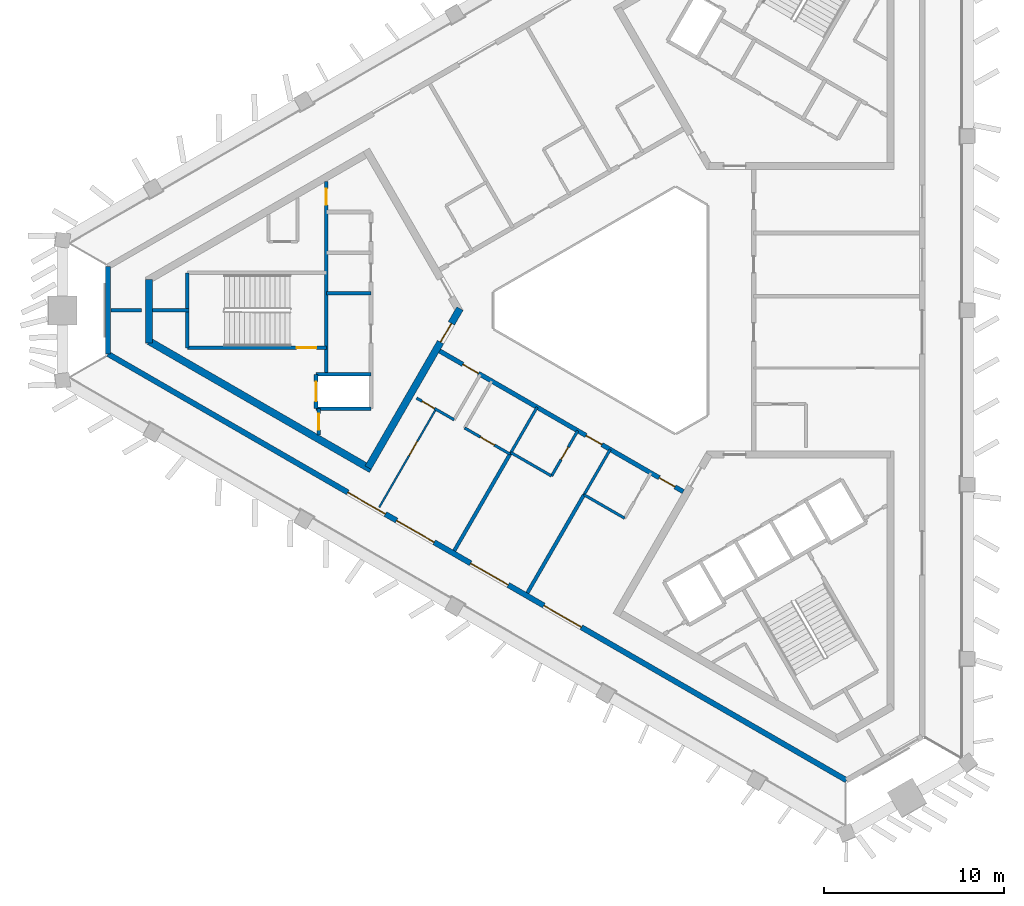
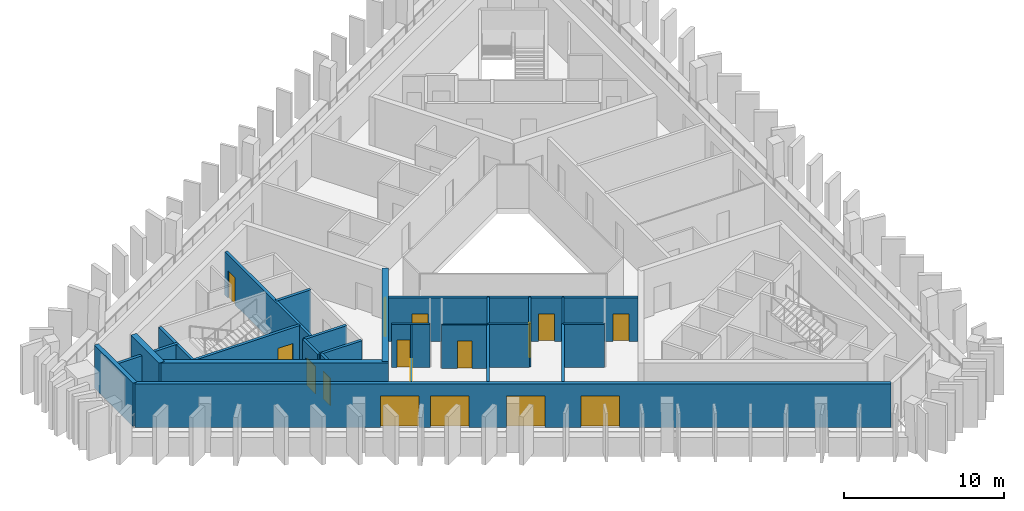
# One storey, part 2 of 9: 26 walls, 16 doors, 16 openings.
"""IFC4 building model written with IfcOpenShell, lengths in metres."""

from ifc_helpers import new_model, si_unit, direction, frame, frame_2d, origin, place, context, subcontext, project, spatial, rectangle, extrude, material, layer, layer_set, type_object, element, fill, save


model = new_model("IFC4")

# Units and contexts
model_context = context("Model", 3, precision=1e-05, world=origin(), true_north=direction((0.0, 1.0)))
body_context = subcontext(model_context, "Body", "Model", "MODEL_VIEW")
ifc_project = project(units=[si_unit("LENGTHUNIT", "METRE"), si_unit("AREAUNIT", "SQUARE_METRE"), si_unit("VOLUMEUNIT", "CUBIC_METRE"), si_unit("PLANEANGLEUNIT", "RADIAN"), si_unit("MASSUNIT", "GRAM", prefix="KILO")], contexts=[model_context])

# Site, building, storey
site_placement = place(None, origin())
site = spatial("IfcSite", under=ifc_project, at=site_placement, CompositionType="ELEMENT")
building_placement = place(site_placement, origin())
building = spatial("IfcBuilding", under=site, at=building_placement, Name="Jabali Bay Hotel Tower and Convention Centre", CompositionType="ELEMENT")
storey_placement = place(building_placement, frame((0.0, 0.0, 281.199951171875)))
storey = spatial("IfcBuildingStorey", under=building, at=storey_placement, Name="L69", CompositionType="ELEMENT", Elevation=281.199951171875)

# Wall
ifc_material_1 = material(Name="Concrete C40", Category="concrete")
ifc_layer_1 = layer(ifc_material_1, 0.199951171875)
ifc_layer_set_1 = layer_set([ifc_layer_1], Name="Concrete C40")
wall_type_1 = type_object("IfcWallType", Name="Core partition wall 200", PredefinedType="PARTITIONING", material=ifc_layer_set_1)
wall_1_placement = place(storey_placement, frame((50.820068359375, 80.0, 0.0), z_axis=(0.0, 0.0, 1.0), x_axis=(-1.0, 0.0, 0.0)))
element("IfcWall", 1, at=wall_1_placement, inside=storey, type_object=wall_type_1, Name="Core wall 0.5 L69", PredefinedType="PARTITIONING", context=body_context, shape_type="SweptSolid", body=[
    extrude(rectangle(XDim=2.023193359375, YDim=0.199951171875, at=frame_2d((1.01171875, 0.0))), origin(), (0.0, 0.0, 1.0), 3.300048828125),
])

# Wall, opening, door
wall_2_placement = place(storey_placement, frame((58.0, 74.550048828125, 0.0), z_axis=(0.0, 0.0, 1.0), x_axis=(0.0, -1.0, 0.0)))
wall_2 = element("IfcWall", 2, at=wall_2_placement, inside=storey, type_object=wall_type_1, Name="Core wall 0.11 L69", PredefinedType="PARTITIONING", context=body_context, shape_type="SweptSolid", body=[
    extrude(rectangle(XDim=1.455078125, YDim=0.199951171875, at=frame_2d((0.7275390625, 0.0))), origin(), (0.0, 0.0, 1.0), 3.300048828125),
])
opening_1_placement = place(wall_2_placement, frame((0.277587890625, 0.0, 0.0)))
opening_1 = element("IfcOpeningElement", 3, at=opening_1_placement, cuts=wall_2, Name="Opening D1519", PredefinedType="OPENING", context=body_context, shape_type="SweptSolid", body=[
    extrude(rectangle(XDim=0.89990234375, YDim=2.10009765625, at=frame_2d((0.449951171875, 1.050048828125))), frame((0.0, 0.1103515625, 0.0), z_axis=(0.0, -1.0, 0.0), x_axis=(1.0, 0.0, 0.0)), (0.0, 0.0, 1.0), 0.220947265625),
])
ifc_material_2 = material(Name="Fire-rated steel door", Category="steel")
door_type_1 = type_object("IfcDoorType", Name="Vestibule fire door 900 x 2100", OperationType="NOTDEFINED", PredefinedType="NOTDEFINED", material=ifc_material_2)
door_1_placement = place(opening_1_placement, origin())
door_1 = element("IfcDoor", 4, at=door_1_placement, inside=storey, type_object=door_type_1, Name="Vestibule fire door D1519", OperationType="SINGLE_SWING_LEFT", OverallHeight=2.10009765625, OverallWidth=0.89990234375, PredefinedType="NOTDEFINED", context=body_context, shape_type="SweptSolid", body=[
    extrude(rectangle(XDim=0.89990234375, YDim=2.10009765625, at=frame_2d((0.449951171875, 1.050048828125))), frame((0.0, 0.02490234375, 0.0), z_axis=(0.0, -1.0, 0.0), x_axis=(1.0, 0.0, 0.0)), (0.0, 0.0, 1.0), 0.050048828125),
])
fill(opening_1, door_1)

# Wall
ifc_layer_2 = layer(ifc_material_1, 0.199951171875)
ifc_layer_set_2 = layer_set([ifc_layer_2], Name="Concrete C40")
wall_type_2 = type_object("IfcWallType", Name="Core stair wall 200", PredefinedType="SOLIDWALL", material=ifc_layer_set_2)
wall_3_placement = place(storey_placement, frame((60.89990234375, 80.949951171875, 0.0), z_axis=(0.0, 0.0, 1.0), x_axis=(-1.0, 0.0, 0.0)))
element("IfcWall", 5, at=wall_3_placement, inside=storey, type_object=wall_type_2, Name="Core wall 0.4 L69", PredefinedType="SOLIDWALL", context=body_context, shape_type="SweptSolid", body=[
    extrude(rectangle(XDim=2.47998046875, YDim=0.199951171875, at=frame_2d((1.239990234375, 0.0))), origin(), (0.0, 0.0, 1.0), 3.300048828125),
])

# Wall, opening, door
wall_4_placement = place(storey_placement, frame((58.419921875, 77.925048828125, 0.0), z_axis=(0.0, 0.0, 1.0), x_axis=(-1.0, 0.0, 0.0)))
wall_4 = element("IfcWall", 6, at=wall_4_placement, inside=storey, type_object=wall_type_2, Name="Core wall 0.6 L69", PredefinedType="SOLIDWALL", context=body_context, shape_type="SweptSolid", body=[
    extrude(rectangle(XDim=7.699951171875, YDim=0.199951171875, at=frame_2d((3.85009765625, 0.0))), origin(), (0.0, 0.0, 1.0), 3.300048828125),
])
opening_2_placement = place(wall_4_placement, frame((0.550048828125, 0.0, 0.0)))
opening_2 = element("IfcOpeningElement", 7, at=opening_2_placement, cuts=wall_4, Name="Opening D1521", PredefinedType="OPENING", context=body_context, shape_type="SweptSolid", body=[
    extrude(rectangle(XDim=1.10009765625, YDim=2.10009765625, at=frame_2d((0.550048828125, 1.050048828125))), frame((0.0, 0.1103515625, 0.0), z_axis=(0.0, -1.0, 0.0), x_axis=(1.0, 0.0, 0.0)), (0.0, 0.0, 1.0), 0.220947265625),
])
door_type_2 = type_object("IfcDoorType", Name="Stair fire door 1100 x 2100", OperationType="NOTDEFINED", PredefinedType="NOTDEFINED", material=ifc_material_2)
door_2_placement = place(opening_2_placement, origin())
door_2 = element("IfcDoor", 8, at=door_2_placement, inside=storey, type_object=door_type_2, Name="Stair fire door D1521", OperationType="SINGLE_SWING_RIGHT", OverallHeight=2.10009765625, OverallWidth=1.10009765625, PredefinedType="NOTDEFINED", context=body_context, shape_type="SweptSolid", body=[
    extrude(rectangle(XDim=1.10009765625, YDim=2.10009765625, at=frame_2d((0.550048828125, 1.050048828125))), frame((0.0, 0.02490234375, 0.0), z_axis=(0.0, -1.0, 0.0), x_axis=(1.0, 0.0, 0.0)), (0.0, 0.0, 1.0), 0.050048828125),
])
fill(opening_2, door_2)

# Walls
for number, where, z_axis, x_axis, name in (
    (9, (60.89990234375, 76.449951171875, 0.0), (0.0, 0.0, 1.0), (-1.0, 0.0, 0.0), "Core wall 0.7 L69"),
    (10, (60.89990234375, 74.550048828125, 0.0), (0.0, 0.0, 1.0), (-1.0, 0.0, 0.0), "Core wall 0.8 L69"),
):
    element("IfcWall", number, at=place(storey_placement, frame(where, z_axis=z_axis, x_axis=x_axis)), inside=storey, type_object=wall_type_2, Name=name, PredefinedType="SOLIDWALL", context=body_context, shape_type="SweptSolid", body=[
        extrude(rectangle(XDim=3.0498046875, YDim=0.199951171875, at=frame_2d((1.52490234375, 0.0))), origin(), (0.0, 0.0, 1.0), 3.300048828125),
    ])

# Wall, opening, door
wall_5_placement = place(storey_placement, frame((58.419921875, 87.147705078125, 0.0), z_axis=(0.0, 0.0, 1.0), x_axis=(0.0, -1.0, 0.0)))
wall_5 = element("IfcWall", 11, at=wall_5_placement, inside=storey, type_object=wall_type_2, Name="Core wall 0.10 L69", PredefinedType="SOLIDWALL", context=body_context, shape_type="SweptSolid", body=[
    extrude(rectangle(XDim=10.69775390625, YDim=0.199951171875, at=frame_2d((5.348876953125, 0.0))), origin(), (0.0, 0.0, 1.0), 3.300048828125),
])
opening_3_placement = place(wall_5_placement, frame((0.398681640625, 0.0, 0.0)))
opening_3 = element("IfcOpeningElement", 12, at=opening_3_placement, cuts=wall_5, Name="Opening D1520", PredefinedType="OPENING", context=body_context, shape_type="SweptSolid", body=[
    extrude(rectangle(XDim=0.89990234375, YDim=2.10009765625, at=frame_2d((0.449951171875, 1.050048828125))), frame((0.0, 0.1103515625, 0.0), z_axis=(0.0, -1.0, 0.0), x_axis=(1.0, 0.0, 0.0)), (0.0, 0.0, 1.0), 0.220947265625),
])
door_3_placement = place(opening_3_placement, origin())
door_3 = element("IfcDoor", 13, at=door_3_placement, inside=storey, type_object=door_type_1, Name="Vestibule fire door D1520", OperationType="SINGLE_SWING_LEFT", OverallHeight=2.10009765625, OverallWidth=0.89990234375, PredefinedType="NOTDEFINED", context=body_context, shape_type="SweptSolid", body=[
    extrude(rectangle(XDim=0.89990234375, YDim=2.10009765625, at=frame_2d((0.449951171875, 1.050048828125))), frame((0.0, 0.02490234375, 0.0), z_axis=(0.0, -1.0, 0.0), x_axis=(1.0, 0.0, 0.0)), (0.0, 0.0, 1.0), 0.050048828125),
])
fill(opening_3, door_3)

wall_6_placement = place(storey_placement, frame((57.85009765625, 76.449951171875, 0.0), z_axis=(0.0, 0.0, 1.0), x_axis=(0.0, -1.0, 0.0)))
wall_6 = element("IfcWall", 14, at=wall_6_placement, inside=storey, type_object=wall_type_2, Name="Core wall 0.12 L69", PredefinedType="SOLIDWALL", context=body_context, shape_type="SweptSolid", body=[
    extrude(rectangle(XDim=1.89990234375, YDim=0.199951171875, at=frame_2d((0.949951171875, 0.0))), origin(), (0.0, 0.0, 1.0), 3.300048828125),
])
opening_4_placement = place(wall_6_placement, frame((0.39990234375, 0.0, 0.0)))
opening_4 = element("IfcOpeningElement", 15, at=opening_4_placement, cuts=wall_6, Name="Opening LD5-L69", PredefinedType="OPENING", context=body_context, shape_type="SweptSolid", body=[
    extrude(rectangle(XDim=1.10009765625, YDim=2.10009765625, at=frame_2d((0.550048828125, 1.050048828125))), frame((0.0, 0.1103515625, 0.0), z_axis=(0.0, -1.0, 0.0), x_axis=(1.0, 0.0, 0.0)), (0.0, 0.0, 1.0), 0.220947265625),
])
ifc_material_3 = material(Name="Stainless steel landing door", Category="steel")
door_type_3 = type_object("IfcDoorType", Name="Landing door 1100 x 2100", OperationType="NOTDEFINED", PredefinedType="NOTDEFINED", material=ifc_material_3)
door_4_placement = place(opening_4_placement, origin())
door_4 = element("IfcDoor", 16, at=door_4_placement, inside=storey, type_object=door_type_3, Name="Landing doors LD5-L69", OperationType="SLIDING_TO_RIGHT", OverallHeight=2.10009765625, OverallWidth=1.10009765625, PredefinedType="NOTDEFINED", context=body_context, shape_type="SweptSolid", body=[
    extrude(rectangle(XDim=1.10009765625, YDim=2.10009765625, at=frame_2d((0.550048828125, 1.050048828125))), frame((0.0, 0.02490234375, 0.0), z_axis=(0.0, -1.0, 0.0), x_axis=(1.0, 0.0, 0.0)), (0.0, 0.0, 1.0), 0.050048828125),
])
fill(opening_4, door_4)

# Walls
wall_7_placement = place(storey_placement, frame((50.719970703125, 82.074951171875, 0.0), z_axis=(0.0, 0.0, 1.0), x_axis=(0.0, -1.0, 0.0)))
element("IfcWall", 17, at=wall_7_placement, inside=storey, type_object=wall_type_2, Name="Core wall 0.15 L69", PredefinedType="SOLIDWALL", context=body_context, shape_type="SweptSolid", body=[
    extrude(rectangle(XDim=4.14990234375, YDim=0.199951171875, at=frame_2d((2.074951171875, 0.0))), origin(), (0.0, 0.0, 1.0), 3.300048828125),
])
ifc_material_4 = material(Name="Concrete C60", Category="concrete")
ifc_layer_3 = layer(ifc_material_4, 0.39990234375)
ifc_layer_set_3 = layer_set([ifc_layer_3], Name="Concrete C60")
wall_type_3 = type_object("IfcWallType", Name="Core wall 400", PredefinedType="SHEAR", material=ifc_layer_set_3)
wall_8_placement = place(storey_placement, frame((48.596923828125, 81.707275390625, 0.0), z_axis=(0.0, 0.0, 1.0), x_axis=(0.0, -1.0, 0.0)))
element("IfcWall", 18, at=wall_8_placement, inside=storey, type_object=wall_type_3, Name="Core wall 1.3 L69", PredefinedType="SHEAR", context=body_context, shape_type="SweptSolid", body=[
    extrude(rectangle(XDim=3.530029296875, YDim=0.39990234375, at=frame_2d((1.76513671875, 0.0))), origin(), (0.0, 0.0, 1.0), 3.699951171875),
])
wall_9_placement = place(storey_placement, frame((48.596923828125, 78.292724609375, 0.0), z_axis=(0.0, 0.0, 1.0), x_axis=(0.866026024469, -0.499998924941, 0.0)))
element("IfcWall", 19, at=wall_9_placement, inside=storey, type_object=wall_type_3, Name="Core wall 1.4 L69", PredefinedType="SHEAR", context=body_context, shape_type="SweptSolid", body=[
    extrude(rectangle(XDim=14.2177734375, YDim=0.39990234375, at=frame_2d((7.10888671875, 0.0))), origin(), (0.0, 0.0, 1.0), 3.699951171875),
])

# Wall, opening, door
wall_10_placement = place(storey_placement, frame((60.73681640625, 71.283935546875, 0.0), z_axis=(0.0, 0.0, 1.0), x_axis=(0.50000547566, 0.866022242388, 0.0)))
wall_10 = element("IfcWall", 20, at=wall_10_placement, inside=storey, type_object=wall_type_3, Name="Core wall 1.5 L69", PredefinedType="SHEAR", context=body_context, shape_type="SweptSolid", body=[
    extrude(rectangle(XDim=10.18017578125, YDim=0.39990234375, at=frame_2d((5.090087890625, 0.0))), origin(), (0.0, 0.0, 1.0), 3.699951171875),
])
opening_5_placement = place(wall_10_placement, frame((8.030029296875, 0.0, 0.0)))
opening_5 = element("IfcOpeningElement", 21, at=opening_5_placement, cuts=wall_10, Name="Opening D1515", PredefinedType="OPENING", context=body_context, shape_type="SweptSolid", body=[
    extrude(rectangle(XDim=1.199951171875, YDim=2.10009765625, at=frame_2d((0.60009765625, 1.050048828125))), frame((0.0, 0.21044921875, 0.0), z_axis=(0.0, -1.0, 0.0), x_axis=(1.0, 0.0, 0.0)), (0.0, 0.0, 1.0), 0.4208984375),
])
door_type_4 = type_object("IfcDoorType", Name="Corridor end fire door 1200 x 2100", OperationType="NOTDEFINED", PredefinedType="NOTDEFINED", material=ifc_material_2)
door_5_placement = place(opening_5_placement, origin())
door_5 = element("IfcDoor", 22, at=door_5_placement, inside=storey, type_object=door_type_4, Name="Corridor end fire door D1515", OperationType="SINGLE_SWING_LEFT", OverallHeight=2.10009765625, OverallWidth=1.199951171875, PredefinedType="NOTDEFINED", context=body_context, shape_type="SweptSolid", body=[
    extrude(rectangle(XDim=1.199951171875, YDim=2.10009765625, at=frame_2d((0.60009765625, 1.050048828125))), frame((0.0, 0.02490234375, 0.0), z_axis=(0.0, -1.0, 0.0), x_axis=(1.0, 0.0, 0.0)), (0.0, 0.0, 1.0), 0.050048828125),
])
fill(opening_5, door_5)

# Wall, openings, doors
ifc_layer_4 = layer(ifc_material_4, 0.25)
ifc_layer_set_4 = layer_set([ifc_layer_4], Name="Concrete C60")
wall_type_4 = type_object("IfcWallType", Name="Corridor wall 250", PredefinedType="SHEAR", material=ifc_layer_set_4)
wall_11_placement = place(storey_placement, frame((64.699951171875, 77.748291015625, 0.0), z_axis=(0.0, 0.0, 1.0), x_axis=(0.866026492143, -0.499998114903, 0.0)))
wall_11 = element("IfcWall", 23, at=wall_11_placement, inside=storey, type_object=wall_type_4, Name="Corridor wall 3 L69", PredefinedType="SHEAR", context=body_context, shape_type="SweptSolid", body=[
    extrude(rectangle(XDim=15.58837890625, YDim=0.25, at=frame_2d((7.794189453125, 0.0))), origin(), (0.0, 0.0, 1.0), 3.300048828125),
])
opening_6_placement = place(wall_11_placement, frame((1.485107421875, 0.0, 0.0)))
opening_6 = element("IfcOpeningElement", 24, at=opening_6_placement, cuts=wall_11, Name="Opening 6915", PredefinedType="OPENING", context=body_context, shape_type="SweptSolid", body=[
    extrude(rectangle(XDim=1.0, YDim=2.10009765625, at=frame_2d((0.5, 1.050048828125))), frame((0.0, 0.135498046875, 0.0), z_axis=(0.0, -1.0, 0.0), x_axis=(1.0, 0.0, 0.0)), (0.0, 0.0, 1.0), 0.27099609375),
])
opening_7_placement = place(wall_11_placement, frame((9.373779296875, 0.0, 0.0)))
opening_7 = element("IfcOpeningElement", 25, at=opening_7_placement, cuts=wall_11, Name="Opening 6917", PredefinedType="OPENING", context=body_context, shape_type="SweptSolid", body=[
    extrude(rectangle(XDim=1.0, YDim=2.10009765625, at=frame_2d((0.5, 1.050048828125))), frame((0.0, 0.135498046875, 0.0), z_axis=(0.0, -1.0, 0.0), x_axis=(1.0, 0.0, 0.0)), (0.0, 0.0, 1.0), 0.27099609375),
])
opening_8_placement = place(wall_11_placement, frame((14.05029296875, 0.0, 0.0)))
opening_8 = element("IfcOpeningElement", 26, at=opening_8_placement, cuts=wall_11, Name="Opening 6919", PredefinedType="OPENING", context=body_context, shape_type="SweptSolid", body=[
    extrude(rectangle(XDim=1.0, YDim=2.10009765625, at=frame_2d((0.5, 1.050048828125))), frame((0.0, 0.135498046875, 0.0), z_axis=(0.0, -1.0, 0.0), x_axis=(1.0, 0.0, 0.0)), (0.0, 0.0, 1.0), 0.27099609375),
])
ifc_material_5 = material(Name="Timber", Category="wood")
door_type_5 = type_object("IfcDoorType", Name="Guest room door 1000 x 2100", OperationType="NOTDEFINED", PredefinedType="NOTDEFINED", material=ifc_material_5)
door_6_placement = place(opening_6_placement, origin())
door_6 = element("IfcDoor", 27, at=door_6_placement, inside=storey, type_object=door_type_5, Name="Door 6915", OperationType="SINGLE_SWING_LEFT", OverallHeight=2.10009765625, OverallWidth=1.0, PredefinedType="NOTDEFINED", context=body_context, shape_type="SweptSolid", body=[
    extrude(rectangle(XDim=1.0, YDim=2.10009765625, at=frame_2d((0.5, 1.050048828125))), frame((0.0, 0.02490234375, 0.0), z_axis=(0.0, -1.0, 0.0), x_axis=(1.0, 0.0, 0.0)), (0.0, 0.0, 1.0), 0.050048828125),
])
fill(opening_6, door_6)
door_7_placement = place(opening_7_placement, origin())
door_7 = element("IfcDoor", 28, at=door_7_placement, inside=storey, type_object=door_type_5, Name="Door 6917", OperationType="SINGLE_SWING_RIGHT", OverallHeight=2.10009765625, OverallWidth=1.0, PredefinedType="NOTDEFINED", context=body_context, shape_type="SweptSolid", body=[
    extrude(rectangle(XDim=1.0, YDim=2.10009765625, at=frame_2d((0.5, 1.050048828125))), frame((0.0, 0.02490234375, 0.0), z_axis=(0.0, -1.0, 0.0), x_axis=(1.0, 0.0, 0.0)), (0.0, 0.0, 1.0), 0.050048828125),
])
fill(opening_7, door_7)
door_8_placement = place(opening_8_placement, origin())
door_8 = element("IfcDoor", 29, at=door_8_placement, inside=storey, type_object=door_type_5, Name="Door 6919", OperationType="SINGLE_SWING_RIGHT", OverallHeight=2.10009765625, OverallWidth=1.0, PredefinedType="NOTDEFINED", context=body_context, shape_type="SweptSolid", body=[
    extrude(rectangle(XDim=1.0, YDim=2.10009765625, at=frame_2d((0.5, 1.050048828125))), frame((0.0, 0.02490234375, 0.0), z_axis=(0.0, -1.0, 0.0), x_axis=(1.0, 0.0, 0.0)), (0.0, 0.0, 1.0), 0.050048828125),
])
fill(opening_8, door_8)

# Wall
ifc_layer_5 = layer(ifc_material_1, 0.300048828125)
ifc_layer_set_5 = layer_set([ifc_layer_5], Name="Concrete C40")
wall_type_5 = type_object("IfcWallType", Name="External wall 300", PredefinedType="SOLIDWALL", material=ifc_layer_set_5)
wall_12_placement = place(storey_placement, frame((46.328125, 77.583740234375, 0.0), z_axis=(0.0, 0.0, 1.0), x_axis=(0.0, 1.0, 0.0)))
element("IfcWall", 30, at=wall_12_placement, inside=storey, type_object=wall_type_5, Name="External wall west chamfer L69", PredefinedType="SOLIDWALL", context=body_context, shape_type="SweptSolid", body=[
    extrude(rectangle(XDim=4.83251953125, YDim=0.300048828125, at=frame_2d((2.416259765625, 0.0))), origin(), (0.0, 0.0, 1.0), 3.300048828125),
])

# Wall, openings, doors
wall_13_placement = place(storey_placement, frame((87.243408203125, 53.961181640625, 0.0), z_axis=(0.0, 0.0, 1.0), x_axis=(-0.866024406396, 0.500001727524, 0.0)))
wall_13 = element("IfcWall", 31, at=wall_13_placement, inside=storey, type_object=wall_type_5, Name="External wall south-west face L69", PredefinedType="SOLIDWALL", context=body_context, shape_type="SweptSolid", body=[
    extrude(rectangle(XDim=47.244873046875, YDim=0.300048828125, at=frame_2d((23.62255859375, 0.0))), origin(), (0.0, 0.0, 1.0), 3.300048828125),
])
opening_9_placement = place(wall_13_placement, frame((29.499755859375, 0.0, 0.0)))
opening_9 = element("IfcOpeningElement", 32, at=opening_9_placement, cuts=wall_13, Name="Opening SD1", PredefinedType="OPENING", context=body_context, shape_type="SweptSolid", body=[
    extrude(rectangle(XDim=2.39990234375, YDim=2.39990234375, at=frame_2d((1.199951171875, 1.199951171875))), frame((0.0, 0.16064453125, 0.0), z_axis=(0.0, -1.0, 0.0), x_axis=(1.0, 0.0, 0.0)), (0.0, 0.0, 1.0), 0.321044921875),
])
opening_10_placement = place(wall_13_placement, frame((26.3818359375, 0.0, 0.0)))
opening_10 = element("IfcOpeningElement", 33, at=opening_10_placement, cuts=wall_13, Name="Opening SD1", PredefinedType="OPENING", context=body_context, shape_type="SweptSolid", body=[
    extrude(rectangle(XDim=2.39990234375, YDim=2.39990234375, at=frame_2d((1.199951171875, 1.199951171875))), frame((0.0, 0.16064453125, 0.0), z_axis=(0.0, -1.0, 0.0), x_axis=(1.0, 0.0, 0.0)), (0.0, 0.0, 1.0), 0.321044921875),
])
opening_11_placement = place(wall_13_placement, frame((16.966552734375, 0.0, 0.0)))
opening_11 = element("IfcOpeningElement", 34, at=opening_11_placement, cuts=wall_13, Name="Opening SD1", PredefinedType="OPENING", context=body_context, shape_type="SweptSolid", body=[
    extrude(rectangle(XDim=2.39990234375, YDim=2.39990234375, at=frame_2d((1.199951171875, 1.199951171875))), frame((0.0, 0.16064453125, 0.0), z_axis=(0.0, -1.0, 0.0), x_axis=(1.0, 0.0, 0.0)), (0.0, 0.0, 1.0), 0.321044921875),
])
opening_12_placement = place(wall_13_placement, frame((21.64306640625, 0.0, 0.0)))
opening_12 = element("IfcOpeningElement", 35, at=opening_12_placement, cuts=wall_13, Name="Opening SD1", PredefinedType="OPENING", context=body_context, shape_type="SweptSolid", body=[
    extrude(rectangle(XDim=2.39990234375, YDim=2.39990234375, at=frame_2d((1.199951171875, 1.199951171875))), frame((0.0, 0.16064453125, 0.0), z_axis=(0.0, -1.0, 0.0), x_axis=(1.0, 0.0, 0.0)), (0.0, 0.0, 1.0), 0.321044921875),
])
ifc_material_6 = material(Name="Glass", Category="glass")
door_type_6 = type_object("IfcDoorType", Name="Loggia sliding door 2400 x 2400", OperationType="NOTDEFINED", PredefinedType="NOTDEFINED", material=ifc_material_6)
door_9_placement = place(opening_9_placement, origin())
door_9 = element("IfcDoor", 36, at=door_9_placement, inside=storey, type_object=door_type_6, Name="Loggia sliding door 6907", OperationType="SLIDING_TO_LEFT", OverallHeight=2.39990234375, OverallWidth=2.39990234375, PredefinedType="NOTDEFINED", context=body_context, shape_type="SweptSolid", body=[
    extrude(rectangle(XDim=2.39990234375, YDim=2.39990234375, at=frame_2d((1.199951171875, 1.199951171875))), frame((0.0, 0.02490234375, 0.0), z_axis=(0.0, -1.0, 0.0), x_axis=(1.0, 0.0, 0.0)), (0.0, 0.0, 1.0), 0.050048828125),
])
fill(opening_9, door_9)
door_10_placement = place(opening_10_placement, origin())
door_10 = element("IfcDoor", 37, at=door_10_placement, inside=storey, type_object=door_type_6, Name="Loggia sliding door 6907", OperationType="SLIDING_TO_RIGHT", OverallHeight=2.39990234375, OverallWidth=2.39990234375, PredefinedType="NOTDEFINED", context=body_context, shape_type="SweptSolid", body=[
    extrude(rectangle(XDim=2.39990234375, YDim=2.39990234375, at=frame_2d((1.199951171875, 1.199951171875))), frame((0.0, 0.02490234375, 0.0), z_axis=(0.0, -1.0, 0.0), x_axis=(1.0, 0.0, 0.0)), (0.0, 0.0, 1.0), 0.050048828125),
])
fill(opening_10, door_10)
door_11_placement = place(opening_11_placement, origin())
door_11 = element("IfcDoor", 38, at=door_11_placement, inside=storey, type_object=door_type_6, Name="Loggia sliding door 6909", OperationType="SLIDING_TO_LEFT", OverallHeight=2.39990234375, OverallWidth=2.39990234375, PredefinedType="NOTDEFINED", context=body_context, shape_type="SweptSolid", body=[
    extrude(rectangle(XDim=2.39990234375, YDim=2.39990234375, at=frame_2d((1.199951171875, 1.199951171875))), frame((0.0, 0.02490234375, 0.0), z_axis=(0.0, -1.0, 0.0), x_axis=(1.0, 0.0, 0.0)), (0.0, 0.0, 1.0), 0.050048828125),
])
fill(opening_11, door_11)
door_12_placement = place(opening_12_placement, origin())
door_12 = element("IfcDoor", 39, at=door_12_placement, inside=storey, type_object=door_type_6, Name="Loggia sliding door 6908", OperationType="SLIDING_TO_RIGHT", OverallHeight=2.39990234375, OverallWidth=2.39990234375, PredefinedType="NOTDEFINED", context=body_context, shape_type="SweptSolid", body=[
    extrude(rectangle(XDim=2.39990234375, YDim=2.39990234375, at=frame_2d((1.199951171875, 1.199951171875))), frame((0.0, 0.02490234375, 0.0), z_axis=(0.0, -1.0, 0.0), x_axis=(1.0, 0.0, 0.0)), (0.0, 0.0, 1.0), 0.050048828125),
])
fill(opening_12, door_12)

# Wall, opening, door
ifc_material_7 = material(Name="Plasterboard on steel stud", Category="steel")
ifc_layer_6 = layer(ifc_material_7, 0.10009765625)
ifc_layer_set_6 = layer_set([ifc_layer_6], Name="Plasterboard on steel stud")
wall_type_6 = type_object("IfcWallType", Name="Partition 100 unit", PredefinedType="PARTITIONING", material=ifc_layer_set_6)
wall_14_placement = place(storey_placement, frame((61.352294921875, 69.08154296875, 0.0), z_axis=(0.0, 0.0, 1.0), x_axis=(0.499986364294, 0.86603327622, 0.0)))
wall_14 = element("IfcWall", 40, at=wall_14_placement, inside=storey, type_object=wall_type_6, Name="Partition P02 L69 017", PredefinedType="PARTITIONING", context=body_context, shape_type="SweptSolid", body=[
    extrude(rectangle(XDim=6.299560546875, YDim=0.10009765625, at=frame_2d((3.14990234375, 0.0))), origin(), (0.0, 0.0, 1.0), 3.300048828125),
])
opening_13_placement = place(wall_14_placement, frame((3.330078125, 0.0, 0.0)))
opening_13 = element("IfcOpeningElement", 41, at=opening_13_placement, cuts=wall_14, Name="Opening 6914", PredefinedType="OPENING", context=body_context, shape_type="SweptSolid", body=[
    extrude(rectangle(XDim=0.89990234375, YDim=2.10009765625, at=frame_2d((0.449951171875, 1.050048828125))), frame((0.0, 0.060546875, 0.0), z_axis=(0.0, -1.0, 0.0), x_axis=(1.0, 0.0, 0.0)), (0.0, 0.0, 1.0), 0.12109375),
])
door_type_7 = type_object("IfcDoorType", Name="Internal door 900 x 2100", OperationType="NOTDEFINED", PredefinedType="NOTDEFINED", material=ifc_material_5)
door_13_placement = place(opening_13_placement, origin())
door_13 = element("IfcDoor", 42, at=door_13_placement, inside=storey, type_object=door_type_7, Name="Door 6914", OperationType="SINGLE_SWING_LEFT", OverallHeight=2.10009765625, OverallWidth=0.89990234375, PredefinedType="NOTDEFINED", context=body_context, shape_type="SweptSolid", body=[
    extrude(rectangle(XDim=0.89990234375, YDim=2.10009765625, at=frame_2d((0.449951171875, 1.050048828125))), frame((0.0, 0.02490234375, 0.0), z_axis=(0.0, -1.0, 0.0), x_axis=(1.0, 0.0, 0.0)), (0.0, 0.0, 1.0), 0.050048828125),
])
fill(opening_13, door_13)

ifc_layer_7 = layer(ifc_material_7, 0.14990234375)
ifc_layer_set_7 = layer_set([ifc_layer_7], Name="Plasterboard on steel stud")
wall_type_7 = type_object("IfcWallType", Name="Partition 150 wet", PredefinedType="PARTITIONING", material=ifc_layer_set_7)
wall_15_placement = place(storey_placement, frame((65.501708984375, 73.936767578125, 0.0), z_axis=(0.0, 0.0, 1.0), x_axis=(-0.865994240961, 0.500053971709, 0.0)))
wall_15 = element("IfcWall", 43, at=wall_15_placement, inside=storey, type_object=wall_type_7, Name="Partition P03 L69 018", PredefinedType="PARTITIONING", context=body_context, shape_type="SweptSolid", body=[
    extrude(rectangle(XDim=2.401123046875, YDim=0.14990234375, at=frame_2d((1.20068359375, 0.0))), origin(), (0.0, 0.0, 1.0), 3.300048828125),
])
opening_14_placement = place(wall_15_placement, frame((1.2509765625, 0.0, 0.0)))
opening_14 = element("IfcOpeningElement", 44, at=opening_14_placement, cuts=wall_15, Name="Opening 6912", PredefinedType="OPENING", context=body_context, shape_type="SweptSolid", body=[
    extrude(rectangle(XDim=0.800048828125, YDim=2.10009765625, at=frame_2d((0.39990234375, 1.050048828125))), frame((0.0, 0.08544921875, 0.0), z_axis=(0.0, -1.0, 0.0), x_axis=(1.0, 0.0, 0.0)), (0.0, 0.0, 1.0), 0.1708984375),
])
door_type_8 = type_object("IfcDoorType", Name="En-suite door 800 x 2100", OperationType="NOTDEFINED", PredefinedType="NOTDEFINED", material=ifc_material_5)
door_14_placement = place(opening_14_placement, origin())
door_14 = element("IfcDoor", 45, at=door_14_placement, inside=storey, type_object=door_type_8, Name="Door 6912", OperationType="SINGLE_SWING_LEFT", OverallHeight=2.10009765625, OverallWidth=0.800048828125, PredefinedType="NOTDEFINED", context=body_context, shape_type="SweptSolid", body=[
    extrude(rectangle(XDim=0.800048828125, YDim=2.10009765625, at=frame_2d((0.39990234375, 1.050048828125))), frame((0.0, 0.02490234375, 0.0), z_axis=(0.0, -1.0, 0.0), x_axis=(1.0, 0.0, 0.0)), (0.0, 0.0, 1.0), 0.050048828125),
])
fill(opening_14, door_14)

# Wall
wall_16_placement = place(storey_placement, frame((70.10009765625, 74.630615234375, 0.0), z_axis=(0.0, 0.0, 1.0), x_axis=(-0.499990139034, -0.866031096941, 0.0)))
element("IfcWall", 46, at=wall_16_placement, inside=storey, type_object=wall_type_7, Name="Partition P03 L69 020", PredefinedType="PARTITIONING", context=body_context, shape_type="SweptSolid", body=[
    extrude(rectangle(XDim=3.0, YDim=0.14990234375, at=frame_2d((1.5, 0.0))), origin(), (0.0, 0.0, 1.0), 3.300048828125),
])

# Wall, opening, door
wall_17_placement = place(storey_placement, frame((68.60009765625, 72.032470703125, 0.0), z_axis=(0.0, 0.0, 1.0), x_axis=(-0.865996321171, 0.50005036918, 0.0)))
wall_17 = element("IfcWall", 47, at=wall_17_placement, inside=storey, type_object=wall_type_7, Name="Partition P03 L69 021", PredefinedType="PARTITIONING", context=body_context, shape_type="SweptSolid", body=[
    extrude(rectangle(XDim=2.900146484375, YDim=0.14990234375, at=frame_2d((1.4501953125, 0.0))), origin(), (0.0, 0.0, 1.0), 3.300048828125),
])
opening_15_placement = place(wall_17_placement, frame((1.0, 0.0, 0.0)))
opening_15 = element("IfcOpeningElement", 48, at=opening_15_placement, cuts=wall_17, Name="Opening 6913", PredefinedType="OPENING", context=body_context, shape_type="SweptSolid", body=[
    extrude(rectangle(XDim=0.89990234375, YDim=2.10009765625, at=frame_2d((0.449951171875, 1.050048828125))), frame((0.0, 0.08544921875, 0.0), z_axis=(0.0, -1.0, 0.0), x_axis=(1.0, 0.0, 0.0)), (0.0, 0.0, 1.0), 0.1708984375),
])
door_15_placement = place(opening_15_placement, origin())
door_15 = element("IfcDoor", 49, at=door_15_placement, inside=storey, type_object=door_type_7, Name="Door 6913", OperationType="SINGLE_SWING_LEFT", OverallHeight=2.10009765625, OverallWidth=0.89990234375, PredefinedType="NOTDEFINED", context=body_context, shape_type="SweptSolid", body=[
    extrude(rectangle(XDim=0.89990234375, YDim=2.10009765625, at=frame_2d((0.449951171875, 1.050048828125))), frame((0.0, 0.02490234375, 0.0), z_axis=(0.0, -1.0, 0.0), x_axis=(1.0, 0.0, 0.0)), (0.0, 0.0, 1.0), 0.050048828125),
])
fill(opening_15, door_15)

wall_18_placement = place(storey_placement, frame((72.3515625, 73.33056640625, 0.0), z_axis=(0.0, 0.0, 1.0), x_axis=(-0.499987231761, -0.866032775405, 0.0)))
wall_18 = element("IfcWall", 50, at=wall_18_placement, inside=storey, type_object=wall_type_7, Name="Partition P03 L69 024", PredefinedType="PARTITIONING", context=body_context, shape_type="SweptSolid", body=[
    extrude(rectangle(XDim=2.89990234375, YDim=0.14990234375, at=frame_2d((1.449951171875, 0.0))), origin(), (0.0, 0.0, 1.0), 3.300048828125),
])
opening_16_placement = place(wall_18_placement, frame((1.050048828125, 0.0, 0.0)))
opening_16 = element("IfcOpeningElement", 51, at=opening_16_placement, cuts=wall_18, Name="Opening 6916", PredefinedType="OPENING", context=body_context, shape_type="SweptSolid", body=[
    extrude(rectangle(XDim=0.800048828125, YDim=2.10009765625, at=frame_2d((0.39990234375, 1.050048828125))), frame((0.0, 0.08544921875, 0.0), z_axis=(0.0, -1.0, 0.0), x_axis=(1.0, 0.0, 0.0)), (0.0, 0.0, 1.0), 0.1708984375),
])
door_16_placement = place(opening_16_placement, origin())
door_16 = element("IfcDoor", 52, at=door_16_placement, inside=storey, type_object=door_type_8, Name="Door 6916", OperationType="SINGLE_SWING_RIGHT", OverallHeight=2.10009765625, OverallWidth=0.800048828125, PredefinedType="NOTDEFINED", context=body_context, shape_type="SweptSolid", body=[
    extrude(rectangle(XDim=0.800048828125, YDim=2.10009765625, at=frame_2d((0.39990234375, 1.050048828125))), frame((0.0, 0.02490234375, 0.0), z_axis=(0.0, -1.0, 0.0), x_axis=(1.0, 0.0, 0.0)), (0.0, 0.0, 1.0), 0.050048828125),
])
fill(opening_16, door_16)

# Walls
wall_19_placement = place(storey_placement, frame((70.901611328125, 70.819091796875, 0.0), z_axis=(0.0, 0.0, 1.0), x_axis=(-0.866021400173, 0.500006934395, 0.0)))
element("IfcWall", 53, at=wall_19_placement, inside=storey, type_object=wall_type_7, Name="Partition P03 L69 025", PredefinedType="PARTITIONING", context=body_context, shape_type="SweptSolid", body=[
    extrude(rectangle(XDim=2.60009765625, YDim=0.14990234375, at=frame_2d((1.300048828125, 0.0))), origin(), (0.0, 0.0, 1.0), 3.300048828125),
])
wall_20_placement = place(storey_placement, frame((72.699951171875, 69.781005859375, 0.0), z_axis=(0.0, 0.0, 1.0), x_axis=(0.499987231761, 0.866032775405, 0.0)))
element("IfcWall", 54, at=wall_20_placement, inside=storey, type_object=wall_type_7, Name="Partition P03 L69 027", PredefinedType="PARTITIONING", context=body_context, shape_type="SweptSolid", body=[
    extrude(rectangle(XDim=2.89990234375, YDim=0.14990234375, at=frame_2d((1.449951171875, 0.0))), origin(), (0.0, 0.0, 1.0), 3.300048828125),
])
wall_21_placement = place(storey_placement, frame((74.95166015625, 68.48095703125, 0.0), z_axis=(0.0, 0.0, 1.0), x_axis=(-0.866021400173, 0.500006934395, 0.0)))
element("IfcWall", 55, at=wall_21_placement, inside=storey, type_object=wall_type_7, Name="Partition P03 L69 029", PredefinedType="PARTITIONING", context=body_context, shape_type="SweptSolid", body=[
    extrude(rectangle(XDim=2.60009765625, YDim=0.14990234375, at=frame_2d((1.300048828125, 0.0))), origin(), (0.0, 0.0, 1.0), 3.300048828125),
])
ifc_layer_8 = layer(ifc_material_7, 0.199951171875)
ifc_layer_set_8 = layer_set([ifc_layer_8], Name="Plasterboard on steel stud")
wall_type_8 = type_object("IfcWallType", Name="Partition 200 party", PredefinedType="PARTITIONING", material=ifc_layer_set_8)
wall_22_placement = place(storey_placement, frame((46.498046875, 80.0009765625, 0.0), z_axis=(0.0, 0.0, 1.0), x_axis=(1.0, 0.0, 0.0)))
element("IfcWall", 56, at=wall_22_placement, inside=storey, type_object=wall_type_8, Name="Partition P01 L69 016", PredefinedType="PARTITIONING", context=body_context, shape_type="SweptSolid", body=[
    extrude(rectangle(XDim=1.678955078125, YDim=0.199951171875, at=frame_2d((0.83935546875, 0.0))), origin(), (0.0, 0.0, 1.0), 3.300048828125),
])
for number, where, z_axis, x_axis, name in (
    (57, (65.51025390625, 66.680908203125, 0.0), (0.0, 0.0, 1.0), (0.499986083735, 0.866033438195, 0.0), "Partition P01 L69 023"),
    (58, (69.560302734375, 64.3427734375, 0.0), (0.0, 0.0, 1.0), (0.499986083735, 0.866033438195, 0.0), "Partition P01 L69 026"),
):
    element("IfcWall", number, at=place(storey_placement, frame(where, z_axis=z_axis, x_axis=x_axis)), inside=storey, type_object=wall_type_8, Name=name, PredefinedType="PARTITIONING", context=body_context, shape_type="SweptSolid", body=[
        extrude(rectangle(XDim=6.279541015625, YDim=0.199951171875, at=frame_2d((3.1396484375, 0.0))), origin(), (0.0, 0.0, 1.0), 3.300048828125),
    ])

save(model, "model.ifc")
